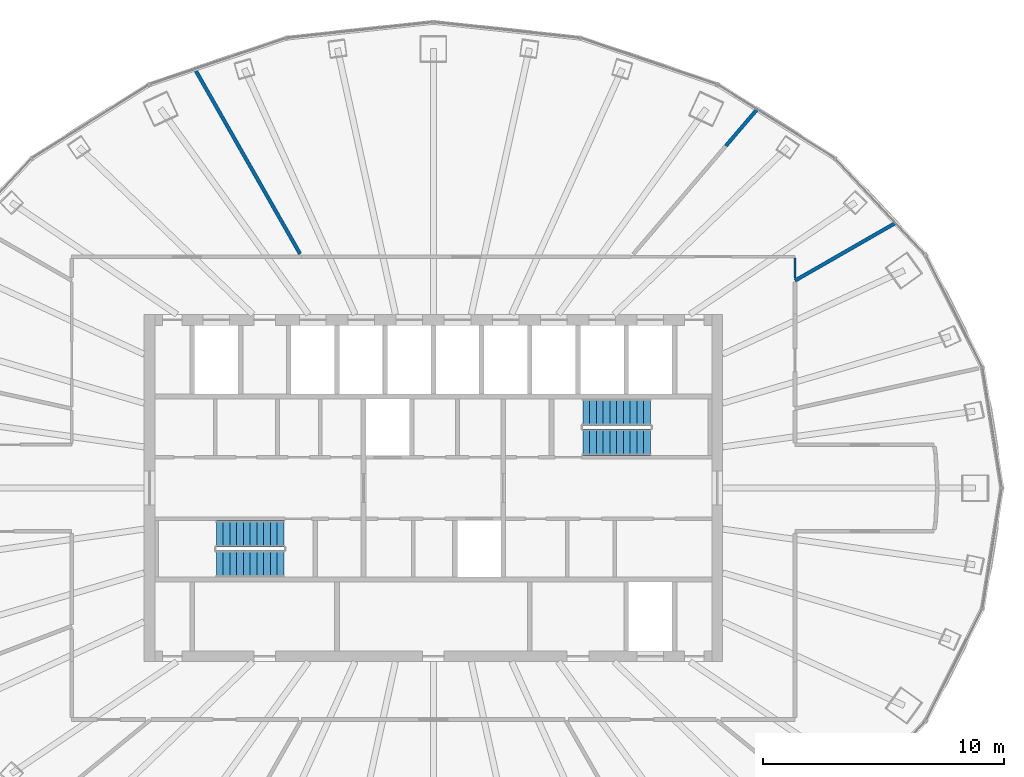
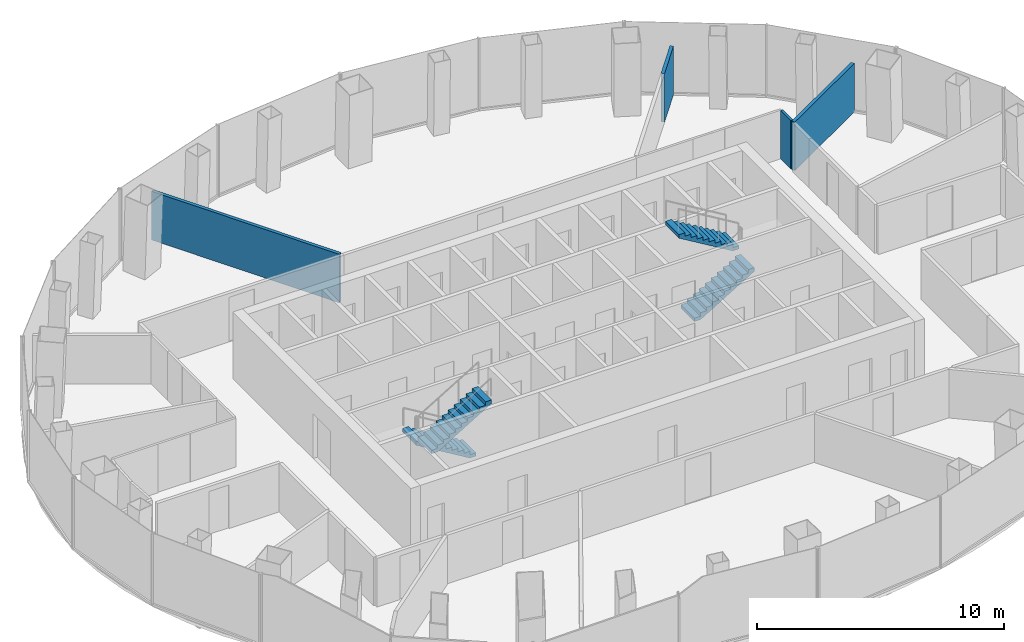
# One storey, part 12 of 13: 4 stair flights, 4 walls, 2 elements without a shape of their own.
"""IFC4 building model written with IfcOpenShell, lengths in metres."""

from ifc_helpers import new_model, si_unit, direction, frame, frame_2d, origin, place, context, subcontext, project, spatial, polyline, rectangle, outline, extrude, material, layer, layer_set, type_object, element, aggregate, save


model = new_model("IFC4")

# Units and contexts
model_context = context("Model", 3, precision=1e-05, world=origin(), true_north=direction((0.0, 1.0)))
body_context = subcontext(model_context, "Body", "Model", "MODEL_VIEW")
ifc_project = project(units=[si_unit("LENGTHUNIT", "METRE"), si_unit("AREAUNIT", "SQUARE_METRE"), si_unit("VOLUMEUNIT", "CUBIC_METRE"), si_unit("PLANEANGLEUNIT", "RADIAN"), si_unit("MASSUNIT", "GRAM", prefix="KILO")], contexts=[model_context])

# Site, building, storey
site_placement = place(None, origin())
site = spatial("IfcSite", under=ifc_project, at=site_placement, CompositionType="ELEMENT")
building_placement = place(site_placement, origin())
building = spatial("IfcBuilding", under=site, at=building_placement, Name="Siaravel Broadcast Tower", CompositionType="ELEMENT")
storey_placement = place(building_placement, frame((0.0, 0.0, 171.89990234375)))
storey = spatial("IfcBuildingStorey", under=building, at=storey_placement, Name="L41", CompositionType="ELEMENT", Elevation=171.89990234375)

# Walls
ifc_material_1 = material(Name="Glazed aluminium partition", Category="aluminium")
ifc_layer_1 = layer(ifc_material_1, 0.10009765625)
ifc_layer_set_1 = layer_set([ifc_layer_1], Name="Glazed aluminium partition")
wall_type_1 = type_object("IfcWallType", Name="Glazed meeting room partition 100", PredefinedType="PARTITIONING", material=ifc_layer_set_1)
wall_1_placement = place(storey_placement, frame((15.0, 8.72021484375, 0.0), z_axis=(0.0, 0.0, 1.0), x_axis=(0.0, 1.0, 0.0)))
element("IfcWall", 1, at=wall_1_placement, inside=storey, type_object=wall_type_1, Name="L41 partition 42", PredefinedType="PARTITIONING", context=body_context, shape_type="SweptSolid", body=[
    extrude(rectangle(XDim=0.827880859375, YDim=0.10009765625, at=frame_2d((0.4140625, 0.0))), origin(), (0.0, 0.0, 1.0), 2.400146484375),
])
ifc_material_2 = material(Name="Gypsum board partition", Category="gypsum")
ifc_layer_2 = layer(ifc_material_2, 0.14990234375)
ifc_layer_set_2 = layer_set([ifc_layer_2], Name="Gypsum board partition")
wall_type_2 = type_object("IfcWallType", Name="Room partition 150", PredefinedType="PARTITIONING", material=ifc_layer_set_2)
wall_2_placement = place(storey_placement, frame((-9.88330078125, 17.360595703125, 0.0), z_axis=(0.0, 0.0, 1.0), x_axis=(0.494742876, -0.869039404, 0.0)))
element("IfcWall", 2, at=wall_2_placement, inside=storey, type_object=wall_type_2, Name="L41 partition 5", PredefinedType="PARTITIONING", context=body_context, shape_type="SweptSolid", body=[
    extrude(rectangle(XDim=8.799072265625, YDim=0.14990234375, at=frame_2d((4.3994140625, 0.0))), origin(), (0.0, 0.0, 1.0), 2.400146484375),
])
wall_3_placement = place(storey_placement, frame((19.166748046875, 10.992919921875, 0.0), z_axis=(0.0, 0.0, 1.0), x_axis=(-0.867466381, -0.497495807, 0.0)))
element("IfcWall", 3, at=wall_3_placement, inside=storey, type_object=wall_type_2, Name="L41 partition 22", PredefinedType="PARTITIONING", context=body_context, shape_type="SweptSolid", body=[
    extrude(rectangle(XDim=4.803466796875, YDim=0.14990234375, at=frame_2d((2.40185546875, 0.0))), origin(), (0.0, 0.0, 1.0), 2.400146484375),
])
wall_4_placement = place(storey_placement, frame((13.41552734375, 15.693603515625, 0.0), z_axis=(0.0, 0.0, 1.0), x_axis=(-0.649743168, -0.760153811, 0.0)))
element("IfcWall", 4, at=wall_4_placement, inside=storey, type_object=wall_type_2, Name="L41 partition 31", PredefinedType="PARTITIONING", context=body_context, shape_type="SweptSolid", body=[
    extrude(rectangle(XDim=1.976806640625, YDim=0.14990234375, at=frame_2d((0.98828125, 0.0))), origin(), (0.0, 0.0, 1.0), 2.400146484375),
])

# Stair, stair flights
ifc_material_3 = material(Name="Concrete C40/50", Category="concrete")
stair_type = type_object("IfcStairType", Name="Core exit stair", PredefinedType="HALF_TURN_STAIR", material=ifc_material_3)
stair_1_placement = place(storey_placement, origin())
stair_1 = element("IfcStair", 5, at=stair_1_placement, inside=storey, type_object=stair_type, Name="L41 Exit stair ST-1", PredefinedType="HALF_TURN_STAIR")
stair_flight_type = type_object("IfcStairFlightType", Name="Stair flight 1100", PredefinedType="STRAIGHT", material=ifc_material_3)
stair_flight_1_placement = place(storey_placement, frame((-6.199951171875, -1.89990234375, 0.0), z_axis=(0.0, 0.0, 1.0), x_axis=(-1.0, 0.0, 0.0)))
stair_flight_1 = element("IfcStairFlight", 6, at=stair_flight_1_placement, type_object=stair_flight_type, Name="ST-1 flight 1", NumberOfRisers=11, NumberOfTreads=10, PredefinedType="STRAIGHT", RiserHeight=0.1681818, TreadLength=0.28, context=body_context, shape_type="SweptSolid", body=[
    extrude(outline(polyline([(0.0, 0.0), (0.0, 0.168212890625), (0.280029296875, 0.168212890625), (0.280029296875, 0.33642578125), (0.56005859375, 0.33642578125), (0.56005859375, 0.504638671875), (0.840087890625, 0.504638671875), (0.840087890625, 0.672607421875), (1.1201171875, 0.672607421875), (1.1201171875, 0.8408203125), (1.39990234375, 0.8408203125), (1.39990234375, 1.009033203125), (1.679931640625, 1.009033203125), (1.679931640625, 1.17724609375), (1.9599609375, 1.17724609375), (1.9599609375, 1.345458984375), (2.239990234375, 1.345458984375), (2.239990234375, 1.513671875), (2.52001953125, 1.513671875), (2.52001953125, 1.681884765625), (2.800048828125, 1.681884765625), (2.800048828125, 1.85009765625), (2.800048828125, 1.5068359375), (0.291015625, 0.0), (0.0, 0.0)])), frame((0.0, 0.550048828125, 0.0), z_axis=(0.0, -1.0, 0.0), x_axis=(1.0, 0.0, 0.0)), (0.0, 0.0, 1.0), 1.10009765625),
])
stair_flight_2_placement = place(storey_placement, frame((-9.0, -3.14990234375, 1.85009765625), z_axis=(0.0, 0.0, 1.0), x_axis=(1.0, 0.0, 0.0)))
stair_flight_2 = element("IfcStairFlight", 7, at=stair_flight_2_placement, type_object=stair_flight_type, Name="ST-1 flight 2", NumberOfRisers=11, NumberOfTreads=10, PredefinedType="STRAIGHT", RiserHeight=0.1681818, TreadLength=0.28, context=body_context, shape_type="SweptSolid", body=[
    extrude(outline(polyline([(0.0, 0.0), (0.0, 0.168212890625), (0.280029296875, 0.168212890625), (0.280029296875, 0.33642578125), (0.56005859375, 0.33642578125), (0.56005859375, 0.504638671875), (0.840087890625, 0.504638671875), (0.840087890625, 0.672607421875), (1.1201171875, 0.672607421875), (1.1201171875, 0.8408203125), (1.39990234375, 0.8408203125), (1.39990234375, 1.009033203125), (1.679931640625, 1.009033203125), (1.679931640625, 1.17724609375), (1.9599609375, 1.17724609375), (1.9599609375, 1.345458984375), (2.239990234375, 1.345458984375), (2.239990234375, 1.513671875), (2.52001953125, 1.513671875), (2.52001953125, 1.681884765625), (2.800048828125, 1.681884765625), (2.800048828125, 1.85009765625), (2.800048828125, 1.5068359375), (0.291015625, 0.0), (0.0, 0.0)])), frame((0.0, 0.550048828125, 0.0), z_axis=(0.0, -1.0, 0.0), x_axis=(1.0, 0.0, 0.0)), (0.0, 0.0, 1.0), 1.10009765625),
])
aggregate(stair_1, [stair_flight_1, stair_flight_2])

stair_2_placement = place(storey_placement, origin())
stair_2 = element("IfcStair", 8, at=stair_2_placement, inside=storey, type_object=stair_type, Name="L41 Exit stair ST-2", PredefinedType="HALF_TURN_STAIR")
stair_flight_3_placement = place(storey_placement, frame((6.199951171875, 1.89990234375, 0.0), z_axis=(0.0, 0.0, 1.0), x_axis=(1.0, 0.0, 0.0)))
stair_flight_3 = element("IfcStairFlight", 9, at=stair_flight_3_placement, type_object=stair_flight_type, Name="ST-2 flight 1", NumberOfRisers=11, NumberOfTreads=10, PredefinedType="STRAIGHT", RiserHeight=0.1681818, TreadLength=0.28, context=body_context, shape_type="SweptSolid", body=[
    extrude(outline(polyline([(0.0, 0.0), (0.0, 0.168212890625), (0.280029296875, 0.168212890625), (0.280029296875, 0.33642578125), (0.56005859375, 0.33642578125), (0.56005859375, 0.504638671875), (0.840087890625, 0.504638671875), (0.840087890625, 0.672607421875), (1.1201171875, 0.672607421875), (1.1201171875, 0.8408203125), (1.39990234375, 0.8408203125), (1.39990234375, 1.009033203125), (1.679931640625, 1.009033203125), (1.679931640625, 1.17724609375), (1.9599609375, 1.17724609375), (1.9599609375, 1.345458984375), (2.239990234375, 1.345458984375), (2.239990234375, 1.513671875), (2.52001953125, 1.513671875), (2.52001953125, 1.681884765625), (2.800048828125, 1.681884765625), (2.800048828125, 1.85009765625), (2.800048828125, 1.5068359375), (0.291015625, 0.0), (0.0, 0.0)])), frame((0.0, 0.550048828125, 0.0), z_axis=(0.0, -1.0, 0.0), x_axis=(1.0, 0.0, 0.0)), (0.0, 0.0, 1.0), 1.10009765625),
])
stair_flight_4_placement = place(storey_placement, frame((9.0, 3.14990234375, 1.85009765625), z_axis=(0.0, 0.0, 1.0), x_axis=(-1.0, 0.0, 0.0)))
stair_flight_4 = element("IfcStairFlight", 10, at=stair_flight_4_placement, type_object=stair_flight_type, Name="ST-2 flight 2", NumberOfRisers=11, NumberOfTreads=10, PredefinedType="STRAIGHT", RiserHeight=0.1681818, TreadLength=0.28, context=body_context, shape_type="SweptSolid", body=[
    extrude(outline(polyline([(0.0, 0.0), (0.0, 0.168212890625), (0.280029296875, 0.168212890625), (0.280029296875, 0.33642578125), (0.56005859375, 0.33642578125), (0.56005859375, 0.504638671875), (0.840087890625, 0.504638671875), (0.840087890625, 0.672607421875), (1.1201171875, 0.672607421875), (1.1201171875, 0.8408203125), (1.39990234375, 0.8408203125), (1.39990234375, 1.009033203125), (1.679931640625, 1.009033203125), (1.679931640625, 1.17724609375), (1.9599609375, 1.17724609375), (1.9599609375, 1.345458984375), (2.239990234375, 1.345458984375), (2.239990234375, 1.513671875), (2.52001953125, 1.513671875), (2.52001953125, 1.681884765625), (2.800048828125, 1.681884765625), (2.800048828125, 1.85009765625), (2.800048828125, 1.5068359375), (0.291015625, 0.0), (0.0, 0.0)])), frame((0.0, 0.550048828125, 0.0), z_axis=(0.0, -1.0, 0.0), x_axis=(1.0, 0.0, 0.0)), (0.0, 0.0, 1.0), 1.10009765625),
])
aggregate(stair_2, [stair_flight_3, stair_flight_4])

save(model, "model.ifc")
